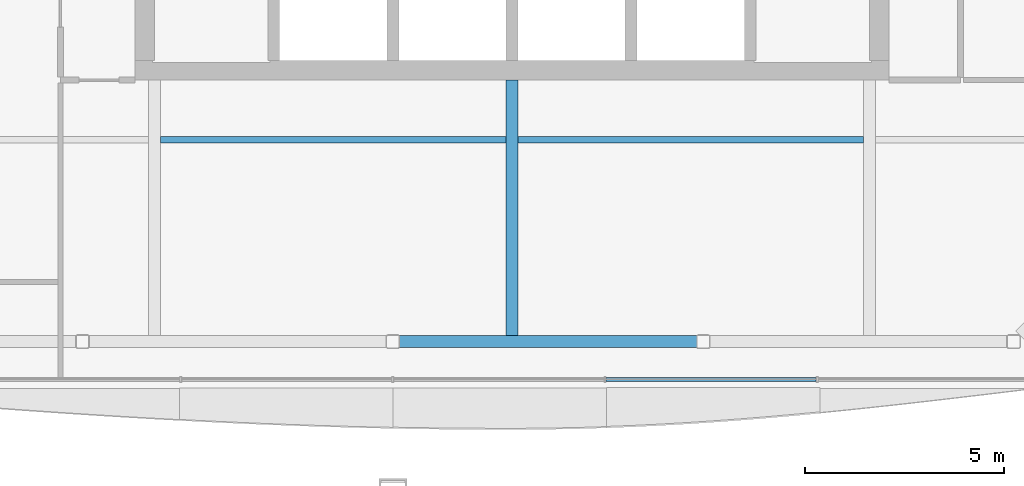
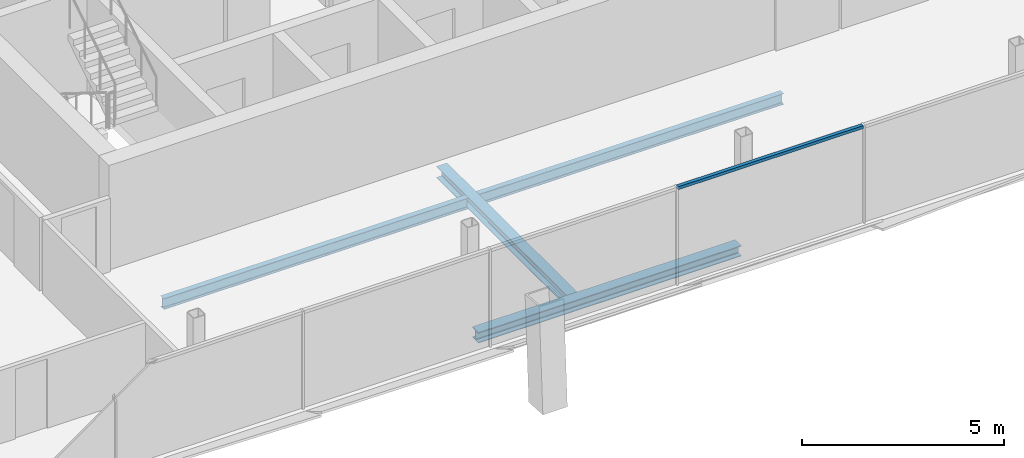
# One storey, part 5 of 19: 4 beams, 1 member, 1 element without a shape of its own.
"""IFC4 building model written with IfcOpenShell, lengths in metres."""

from ifc_helpers import new_model, si_unit, direction, frame, origin, origin_2d, place, context, subcontext, project, spatial, rectangle, i_section, extrude, material, material_profile, profile_set, type_object, element, aggregate, save


model = new_model("IFC4")

# Units and contexts
model_context = context("Model", 3, precision=1e-05, world=origin(), true_north=direction((0.0, 1.0)))
body_context = subcontext(model_context, "Body", "Model", "MODEL_VIEW")
ifc_project = project(units=[si_unit("LENGTHUNIT", "METRE"), si_unit("AREAUNIT", "SQUARE_METRE"), si_unit("VOLUMEUNIT", "CUBIC_METRE"), si_unit("PLANEANGLEUNIT", "RADIAN"), si_unit("MASSUNIT", "GRAM", prefix="KILO")], contexts=[model_context])

# Site, building, storey
site_placement = place(None, origin())
site = spatial("IfcSite", under=ifc_project, at=site_placement, CompositionType="ELEMENT")
building_placement = place(site_placement, origin())
building = spatial("IfcBuilding", under=site, at=building_placement, Name="Tskaro Facet Tower", CompositionType="ELEMENT")
storey_placement = place(building_placement, frame((0.0, 0.0, 203.699951171875)))
storey = spatial("IfcBuildingStorey", under=building, at=storey_placement, Name="L52", CompositionType="ELEMENT", Elevation=203.699951171875)

# Curtain wall, member
ifc_material_1 = material(Name="Bronze anodised aluminium 6063-T6", Category="aluminium")
curtain_wall_type = type_object("IfcCurtainWallType", Name="Bronze residence curtain wall (FW3)", PredefinedType="NOTDEFINED", material=ifc_material_1)
curtain_wall_placement = place(storey_placement, origin())
curtain_wall = element("IfcCurtainWall", 1, at=curtain_wall_placement, inside=storey, type_object=curtain_wall_type, Name="FW3 south facet L52", PredefinedType="NOTDEFINED")
ifc_material_profile_1 = material_profile(ifc_material_1, rectangle(XDim=0.10009765625, YDim=0.090087890625, at=origin_2d()), Name="Transom 100x90")
ifc_profile_set_1 = profile_set([ifc_material_profile_1], Name="Bronze anodised aluminium 6063-T6")
member_type = type_object("IfcMemberType", Name="FW3 bronze transom 100x90", PredefinedType="USERDEFINED", material=ifc_profile_set_1)
member_placement = place(storey_placement, frame((2.366943359375, -19.532958984375, 2.905029296875), z_axis=(1.0, 0.0, 0.0), x_axis=(0.0, 1.0, 0.0)))
member = element("IfcMember", 2, at=member_placement, type_object=member_type, Name="FW3 south transom 5.1", ObjectType="TRANSOM", PredefinedType="USERDEFINED", context=body_context, shape_type="SweptSolid", body=[
    extrude(rectangle(XDim=0.10009765625, YDim=0.090087890625, at=origin_2d()), origin(), (0.0, 0.0, 1.0), 5.2919921875),
])
aggregate(curtain_wall, [member])

# Beams
ifc_material_2 = material(Name="Steel S355J2", Category="steel")
ifc_material_profile_2 = material_profile(ifc_material_2, i_section(OverallWidth=0.300048828125, OverallDepth=0.320068359375, WebThickness=0.011474609375, FlangeThickness=0.0205078125, FilletRadius=0.027099609375, at=origin_2d()), Name="HE 320 B")
ifc_profile_set_2 = profile_set([ifc_material_profile_2], Name="Steel S355J2")
beam_type_1 = type_object("IfcBeamType", Name="HE 320 B ring beam", PredefinedType="BEAM", material=ifc_profile_set_2)
beam_1_placement = place(storey_placement, frame((-2.844970703125, -18.5830078125, -0.300048828125), z_axis=(1.0, 0.0, 0.0), x_axis=(0.0, 1.0, 0.0)))
element("IfcBeam", 3, at=beam_1_placement, inside=storey, type_object=beam_type_1, Name="HE 320 B EB3-4", PredefinedType="BEAM", context=body_context, shape_type="SweptSolid", body=[
    extrude(i_section(OverallWidth=0.300048828125, OverallDepth=0.320068359375, WebThickness=0.011474609375, FlangeThickness=0.0205078125, FilletRadius=0.027099609375, at=origin_2d()), origin(), (0.0, 0.0, 1.0), 7.507080078125),
])
ifc_material_profile_3 = material_profile(ifc_material_2, i_section(OverallWidth=0.300048828125, OverallDepth=0.35009765625, WebThickness=0.010009765625, FlangeThickness=0.017578125, FilletRadius=0.027099609375, at=origin_2d()), Name="HE 360 A")
ifc_profile_set_3 = profile_set([ifc_material_profile_3], Name="Steel S355J2")
beam_type_2 = type_object("IfcBeamType", Name="HE 360 A girder", PredefinedType="BEAM", material=ifc_profile_set_3)
beam_2_placement = place(storey_placement, frame((0.0, -18.43310546875, -0.31494140625), z_axis=(0.0, 1.0, 0.0), x_axis=(-1.0, 0.0, 0.0)))
element("IfcBeam", 4, at=beam_2_placement, inside=storey, type_object=beam_type_2, Name="HE 360 A GB4-1-4", PredefinedType="BEAM", context=body_context, shape_type="SweptSolid", body=[
    extrude(i_section(OverallWidth=0.300048828125, OverallDepth=0.35009765625, WebThickness=0.010009765625, FlangeThickness=0.017578125, FilletRadius=0.027099609375, at=origin_2d()), origin(), (0.0, 0.0, 1.0), 6.43310546875),
])
ifc_material_profile_4 = material_profile(ifc_material_2, i_section(OverallWidth=0.159912109375, OverallDepth=0.330078125, WebThickness=0.007568359375, FlangeThickness=0.011474609375, FilletRadius=0.01806640625, at=origin_2d()), Name="IPE 330")
ifc_profile_set_4 = profile_set([ifc_material_profile_4], Name="Steel S355J2")
beam_type_3 = type_object("IfcBeamType", Name="IPE 330 secondary beam", PredefinedType="BEAM", material=ifc_profile_set_4)
for number, where, z_axis, x_axis, name in (
    (5, (-8.85009765625, -13.5, -0.304931640625), (1.0, 0.0, 0.0), (0.0, 1.0, 0.0), "IPE 330 SB2a-3-4"),
    (6, (0.14990234375, -13.5, -0.304931640625), (1.0, 0.0, 0.0), (0.0, 1.0, 0.0), "IPE 330 SB2a-4-4"),
):
    element("IfcBeam", number, at=place(storey_placement, frame(where, z_axis=z_axis, x_axis=x_axis)), inside=storey, type_object=beam_type_3, Name=name, PredefinedType="BEAM", context=body_context, shape_type="SweptSolid", body=[
        extrude(i_section(OverallWidth=0.159912109375, OverallDepth=0.330078125, WebThickness=0.007568359375, FlangeThickness=0.011474609375, FilletRadius=0.01806640625, at=origin_2d()), origin(), (0.0, 0.0, 1.0), 8.7001953125),
    ])

save(model, "model.ifc")
